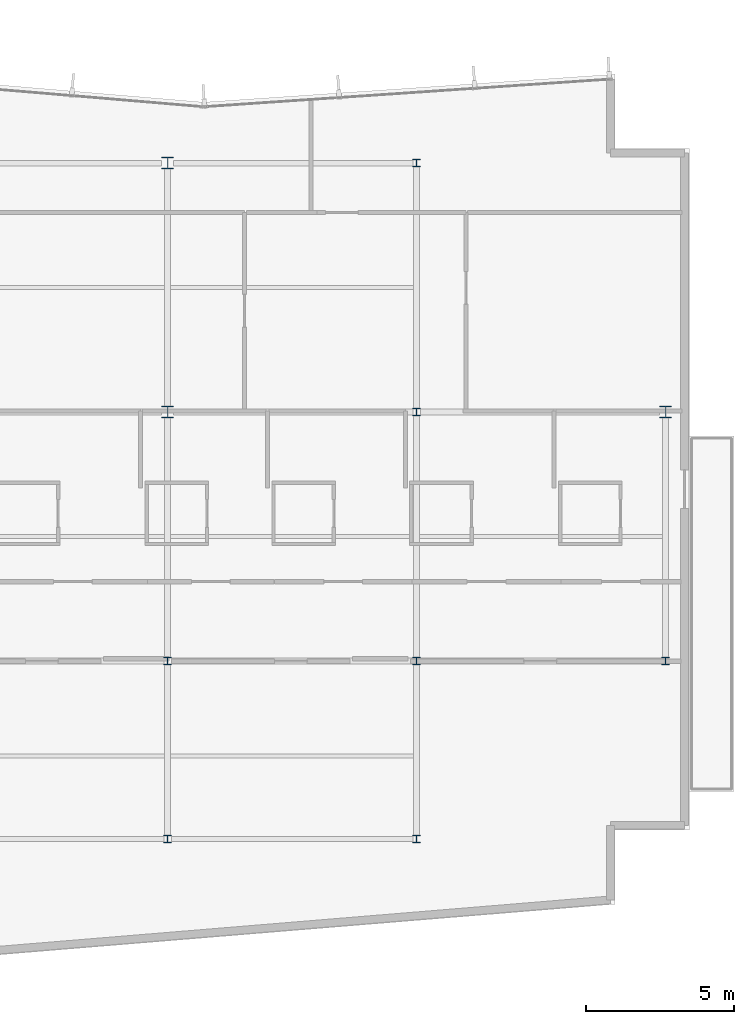
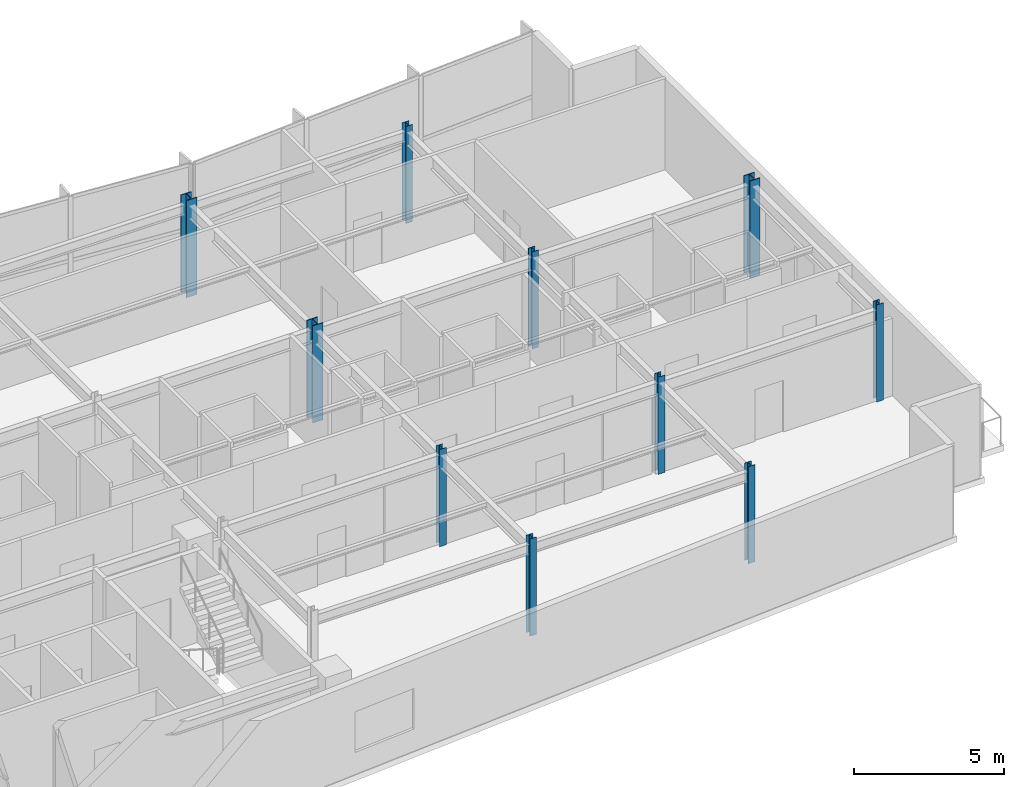
# One storey, part 2 of 15: 10 columns.
"""IFC4 building model written with IfcOpenShell, lengths in metres."""

from ifc_helpers import new_model, si_unit, direction, frame, origin, origin_2d, place, context, subcontext, project, spatial, i_section, extrude, material, material_profile, profile_set, type_object, element, save


model = new_model("IFC4")

# Units and contexts
model_context = context("Model", 3, precision=1e-05, world=origin(), true_north=direction((0.0, 1.0)))
body_context = subcontext(model_context, "Body", "Model", "MODEL_VIEW")
ifc_project = project(units=[si_unit("LENGTHUNIT", "METRE"), si_unit("AREAUNIT", "SQUARE_METRE"), si_unit("VOLUMEUNIT", "CUBIC_METRE"), si_unit("PLANEANGLEUNIT", "RADIAN"), si_unit("MASSUNIT", "GRAM", prefix="KILO")], contexts=[model_context])

# Site, building, storey
site_placement = place(None, origin())
site = spatial("IfcSite", under=ifc_project, at=site_placement, CompositionType="ELEMENT")
building_placement = place(site_placement, origin())
building = spatial("IfcBuilding", under=site, at=building_placement, Name="Varnakote Quay Hospital", CompositionType="ELEMENT")
storey_placement = place(building_placement, frame((0.0, 0.0, 196.050048828125)))
storey = spatial("IfcBuildingStorey", under=building, at=storey_placement, Name="L48", CompositionType="ELEMENT", Elevation=196.050048828125)

# Columns
ifc_material_1 = material(Name="Structural steel AS/NZS 3679.1 Grade 350 L0 (fy 340 MPa)", Category="steel")
ifc_material_profile_1 = material_profile(ifc_material_1, i_section(OverallWidth=0.256103515625, OverallDepth=0.260009765625, WebThickness=0.010498046875, FlangeThickness=0.017333984375, FilletRadius=0.0126953125, at=origin_2d()), Name="250UC89.5")
ifc_profile_set_1 = profile_set([ifc_material_profile_1], Name="Structural steel AS/NZS 3679.1 Grade 350 L0 (fy 340 MPa)")
column_type_1 = type_object("IfcColumnType", Name="COL-STL-250UC89-5", PredefinedType="COLUMN", material=ifc_profile_set_1)
for number, where, z_axis, x_axis, name in (
    (1, (33.60009765625, 6.0, 0.0), (0.0, 0.0, 1.0), (1.0, 0.0, 0.0), "L48 Structural Column C-34-6"),
    (2, (42.0, 6.0, 0.0), (0.0, 0.0, 1.0), (1.0, 0.0, 0.0), "L48 Structural Column C-42-6"),
    (3, (33.60009765625, 12.0, 0.0), (0.0, 0.0, 1.0), (1.0, 0.0, 0.0), "L48 Structural Column C-34-12"),
    (4, (42.0, 12.0, 0.0), (0.0, 0.0, 1.0), (1.0, 0.0, 0.0), "L48 Structural Column C-42-12"),
    (5, (50.39990234375, 12.0, 0.0), (0.0, 0.0, 1.0), (1.0, 0.0, 0.0), "L48 Structural Column C-50-12"),
    (6, (42.0, 20.39990234375, 0.0), (0.0, 0.0, 1.0), (1.0, 0.0, 0.0), "L48 Structural Column C-42-20"),
    (7, (42.0, 28.800048828125, 0.0), (0.0, 0.0, 1.0), (1.0, 0.0, 0.0), "L48 Structural Column C-42-29"),
):
    element("IfcColumn", number, at=place(storey_placement, frame(where, z_axis=z_axis, x_axis=x_axis)), inside=storey, type_object=column_type_1, Name=name, PredefinedType="COLUMN", context=body_context, shape_type="SweptSolid", body=[
        extrude(i_section(OverallWidth=0.256103515625, OverallDepth=0.260009765625, WebThickness=0.010498046875, FlangeThickness=0.017333984375, FilletRadius=0.0126953125, at=origin_2d()), origin(), (0.0, 0.0, 1.0), 3.949951171875),
    ])
ifc_material_2 = material(Name="Structural steel AS/NZS 3678 Grade 350 (fy 340 MPa)", Category="steel")
ifc_material_profile_2 = material_profile(ifc_material_2, i_section(OverallWidth=0.39990234375, OverallDepth=0.404052734375, WebThickness=0.02001953125, FlangeThickness=0.031982421875, at=origin_2d()), Name="400WC270")
ifc_profile_set_2 = profile_set([ifc_material_profile_2], Name="Structural steel AS/NZS 3678 Grade 350 (fy 340 MPa)")
column_type_2 = type_object("IfcColumnType", Name="COL-STL-400WC270", PredefinedType="COLUMN", material=ifc_profile_set_2)
for number, where, z_axis, x_axis, name in (
    (8, (33.60009765625, 20.39990234375, 0.0), (0.0, 0.0, 1.0), (1.0, 0.0, 0.0), "L48 Structural Column C-34-20"),
    (9, (50.39990234375, 20.39990234375, 0.0), (0.0, 0.0, 1.0), (1.0, 0.0, 0.0), "L48 Structural Column C-50-20"),
    (10, (33.60009765625, 28.800048828125, 0.0), (0.0, 0.0, 1.0), (1.0, 0.0, 0.0), "L48 Structural Column C-34-29"),
):
    element("IfcColumn", number, at=place(storey_placement, frame(where, z_axis=z_axis, x_axis=x_axis)), inside=storey, type_object=column_type_2, Name=name, PredefinedType="COLUMN", context=body_context, shape_type="SweptSolid", body=[
        extrude(i_section(OverallWidth=0.39990234375, OverallDepth=0.404052734375, WebThickness=0.02001953125, FlangeThickness=0.031982421875, at=origin_2d()), origin(), (0.0, 0.0, 1.0), 3.949951171875),
    ])

save(model, "model.ifc")
